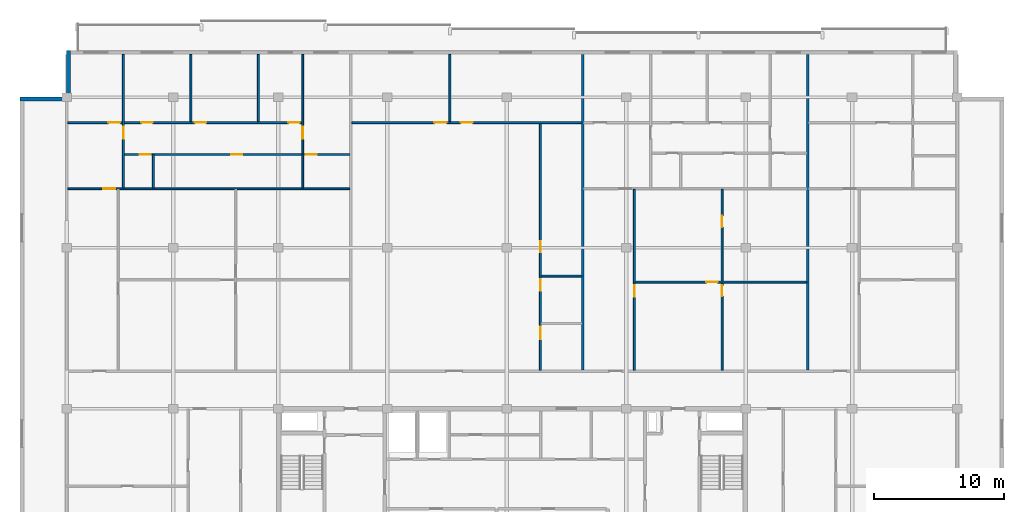
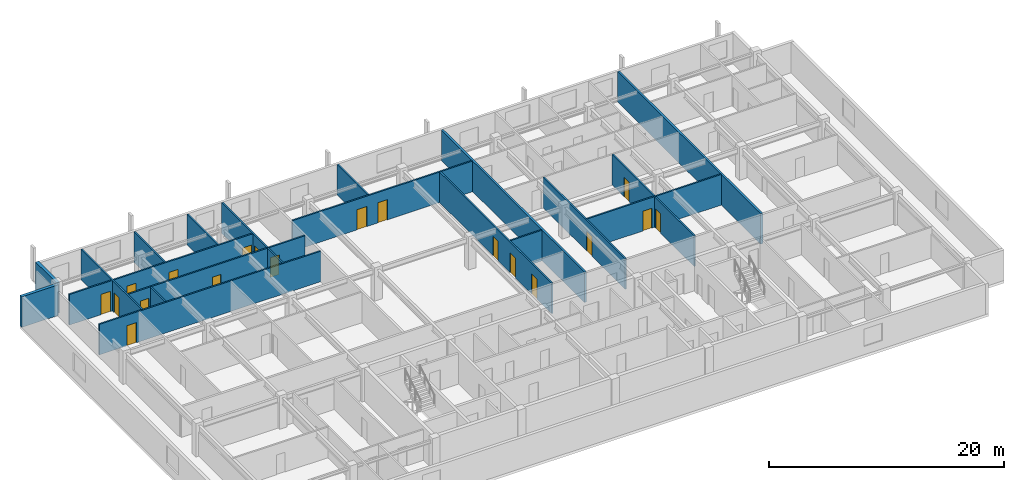
# One storey, part 6 of 10: 20 walls, 19 doors, 19 openings.
"""IFC4 building model written with IfcOpenShell, lengths in metres."""

from ifc_helpers import new_model, si_unit, direction, frame, frame_2d, origin, place, context, subcontext, project, spatial, rectangle, extrude, material, layer, layer_set, type_object, element, fill, save


model = new_model("IFC4")

# Units and contexts
model_context = context("Model", 3, precision=1e-05, world=origin(), true_north=direction((0.0, 1.0)))
body_context = subcontext(model_context, "Body", "Model", "MODEL_VIEW")
ifc_project = project(units=[si_unit("LENGTHUNIT", "METRE"), si_unit("AREAUNIT", "SQUARE_METRE"), si_unit("VOLUMEUNIT", "CUBIC_METRE"), si_unit("PLANEANGLEUNIT", "RADIAN"), si_unit("MASSUNIT", "GRAM", prefix="KILO")], contexts=[model_context])

# Site, building, storey
site_placement = place(None, origin())
site = spatial("IfcSite", under=ifc_project, at=site_placement, CompositionType="ELEMENT")
building_placement = place(site_placement, origin())
building = spatial("IfcBuilding", under=site, at=building_placement, Name="Korimba Cascade Residences", CompositionType="ELEMENT")
storey_placement = place(building_placement, frame((0.0, 0.0, 235.550048828125)))
storey = spatial("IfcBuildingStorey", under=building, at=storey_placement, Name="L68", CompositionType="ELEMENT", Elevation=235.550048828125)

# Walls
ifc_material_1 = material(Name="Precast concrete C40/50", Category="concrete")
ifc_layer_1 = layer(ifc_material_1, 0.300048828125)
ifc_layer_set_1 = layer_set([ifc_layer_1], Name="Precast concrete C40/50")
wall_type_1 = type_object("IfcWallType", Name="EW-STONE-300", PredefinedType="STANDARD", material=ifc_layer_set_1)
for number, where, z_axis, x_axis, name in (
    (1, (59.949951171875, 94.800048828125, 0.0), (0.0, 0.0, 1.0), (0.0, -1.0, 0.0), "L68 T1 Perimeter Stone Wall E07"),
    (2, (59.800048828125, 91.050048828125, 0.0), (0.0, 0.0, 1.0), (-1.0, 0.0, 0.0), "L68 T1 Perimeter Stone Wall E08"),
):
    element("IfcWall", number, at=place(storey_placement, frame(where, z_axis=z_axis, x_axis=x_axis)), inside=storey, type_object=wall_type_1, Name=name, PredefinedType="STANDARD", context=body_context, shape_type="SweptSolid", body=[
        extrude(rectangle(XDim=3.60009765625, YDim=0.300048828125, at=frame_2d((1.800048828125, 0.0))), origin(), (0.0, 0.0, 1.0), 3.169921875),
    ])
ifc_layer_2 = layer(ifc_material_1, 0.199951171875)
ifc_layer_set_2 = layer_set([ifc_layer_2], Name="Precast concrete C40/50")
wall_type_2 = type_object("IfcWallType", Name="WAL-IT-200", PredefinedType="PARTITIONING", material=ifc_layer_set_2)
for number, where, z_axis, x_axis, name in (
    (3, (99.5556640625, 70.179931640625, 0.0), (0.0, 0.0, 1.0), (0.0, 1.0, 0.0), "L68 Partition Wall WAL-L68-T1-DEM-2"),
    (4, (116.86962890625, 70.179931640625, 0.0), (0.0, 0.0, 1.0), (0.0, 1.0, 0.0), "L68 Partition Wall WAL-L68-T1-DEM-3"),
):
    element("IfcWall", number, at=place(storey_placement, frame(where, z_axis=z_axis, x_axis=x_axis)), inside=storey, type_object=wall_type_2, Name=name, PredefinedType="PARTITIONING", context=body_context, shape_type="SweptSolid", body=[
        extrude(rectangle(XDim=24.320068359375, YDim=0.199951171875, at=frame_2d((12.16015625, 0.0))), origin(), (0.0, 0.0, 1.0), 3.169921875),
    ])
ifc_material_2 = material(Name="Insulated Acoustic Stud Partition", Category="gypsum")
ifc_layer_3 = layer(ifc_material_2, 0.14990234375)
ifc_layer_set_3 = layer_set([ifc_layer_3], Name="Insulated Acoustic Stud Partition")
wall_type_3 = type_object("IfcWallType", Name="WAL-PART-150", PredefinedType="PARTITIONING", material=ifc_layer_set_3)
wall_1_placement = place(storey_placement, frame((66.47998046875, 84.18994140625, 0.0), z_axis=(0.0, 0.0, 1.0), x_axis=(0.0, 1.0, 0.0)))
element("IfcWall", 5, at=wall_1_placement, inside=storey, type_object=wall_type_3, Name="L68 Partition Wall WAL-L68-T1-U01-VDRS", PredefinedType="PARTITIONING", context=body_context, shape_type="SweptSolid", body=[
    extrude(rectangle(XDim=2.580078125, YDim=0.14990234375, at=frame_2d((1.2900390625, 0.0))), origin(), (0.0, 0.0, 1.0), 3.169921875),
])
for number, where, z_axis, x_axis, name in (
    (6, (69.3701171875, 89.330078125, 0.0), (0.0, 0.0, 1.0), (0.0, 1.0, 0.0), "L68 Partition Wall WAL-L68-T1-U01-VB2"),
    (7, (74.570068359375, 89.330078125, 0.0), (0.0, 0.0, 1.0), (0.0, 1.0, 0.0), "L68 Partition Wall WAL-L68-T1-U01-VB3"),
):
    element("IfcWall", number, at=place(storey_placement, frame(where, z_axis=z_axis, x_axis=x_axis)), inside=storey, type_object=wall_type_3, Name=name, PredefinedType="PARTITIONING", context=body_context, shape_type="SweptSolid", body=[
        extrude(rectangle(XDim=5.169921875, YDim=0.14990234375, at=frame_2d((2.5849609375, 0.0))), origin(), (0.0, 0.0, 1.0), 3.169921875),
    ])

# Wall, opening, door
wall_2_placement = place(storey_placement, frame((64.169921875, 84.18994140625, 0.0), z_axis=(0.0, 0.0, 1.0), x_axis=(0.0, 1.0, 0.0)))
wall_2 = element("IfcWall", 8, at=wall_2_placement, inside=storey, type_object=wall_type_3, Name="L68 Partition Wall WAL-L68-T1-U01-V1", PredefinedType="PARTITIONING", context=body_context, shape_type="SweptSolid", body=[
    extrude(rectangle(XDim=10.31005859375, YDim=0.14990234375, at=frame_2d((5.155029296875, 0.0))), origin(), (0.0, 0.0, 1.0), 3.169921875),
])
opening_1_placement = place(wall_2_placement, frame((3.820068359375, 0.0, 0.0)))
opening_1 = element("IfcOpeningElement", 9, at=opening_1_placement, cuts=wall_2, Name="Opening D-IN1", PredefinedType="OPENING", context=body_context, shape_type="SweptSolid", body=[
    extrude(rectangle(XDim=0.919921875, YDim=2.080078125, at=frame_2d((0.4599609375, 1.0400390625))), frame((0.0, 0.0849609375, 0.0), z_axis=(0.0, -1.0, 0.0), x_axis=(1.0, 0.0, 0.0)), (0.0, 0.0, 1.0), 0.169921875),
])
ifc_material_3 = material(Name="Acoustic Timber Living Door", Category="wood")
door_type_1 = type_object("IfcDoorType", Name="DR-INT-920", OperationType="NOTDEFINED", PredefinedType="DOOR", material=ifc_material_3)
door_1_placement = place(opening_1_placement, origin())
door_1 = element("IfcDoor", 10, at=door_1_placement, inside=storey, type_object=door_type_1, Name="L68-T1-U01 Hallway Door", OperationType="SINGLE_SWING_LEFT", OverallHeight=2.080078125, OverallWidth=0.919921875, PredefinedType="DOOR", context=body_context, shape_type="SweptSolid", body=[
    extrude(rectangle(XDim=0.919921875, YDim=2.080078125, at=frame_2d((0.4599609375, 1.0400390625))), frame((0.0, 0.02490234375, 0.0), z_axis=(0.0, -1.0, 0.0), x_axis=(1.0, 0.0, 0.0)), (0.0, 0.0, 1.0), 0.050048828125),
])
fill(opening_1, door_1)

# Wall
wall_3_placement = place(storey_placement, frame((77.97998046875, 84.18994140625, 0.0), z_axis=(0.0, 0.0, 1.0), x_axis=(0.0, 1.0, 0.0)))
element("IfcWall", 11, at=wall_3_placement, inside=storey, type_object=wall_type_3, Name="L68 Partition Wall WAL-L68-T1-U01-VBATH", PredefinedType="PARTITIONING", context=body_context, shape_type="SweptSolid", body=[
    extrude(rectangle(XDim=2.580078125, YDim=0.14990234375, at=frame_2d((1.2900390625, 0.0))), origin(), (0.0, 0.0, 1.0), 3.169921875),
])

# Wall, opening, door
wall_4_placement = place(storey_placement, frame((77.97998046875, 86.81005859375, 0.0), z_axis=(0.0, 0.0, 1.0), x_axis=(0.0, 1.0, 0.0)))
wall_4 = element("IfcWall", 12, at=wall_4_placement, inside=storey, type_object=wall_type_3, Name="L68 Partition Wall WAL-L68-T1-U01-V2FULL", PredefinedType="PARTITIONING", context=body_context, shape_type="SweptSolid", body=[
    extrude(rectangle(XDim=7.68994140625, YDim=0.14990234375, at=frame_2d((3.844970703125, 0.0))), origin(), (0.0, 0.0, 1.0), 3.169921875),
])
opening_2_placement = place(wall_4_placement, frame((1.199951171875, 0.0, 0.0)))
opening_2 = element("IfcOpeningElement", 13, at=opening_2_placement, cuts=wall_4, Name="Opening D-IN1", PredefinedType="OPENING", context=body_context, shape_type="SweptSolid", body=[
    extrude(rectangle(XDim=0.919921875, YDim=2.080078125, at=frame_2d((0.4599609375, 1.0400390625))), frame((0.0, 0.0849609375, 0.0), z_axis=(0.0, -1.0, 0.0), x_axis=(1.0, 0.0, 0.0)), (0.0, 0.0, 1.0), 0.169921875),
])
door_2_placement = place(opening_2_placement, origin())
door_2 = element("IfcDoor", 14, at=door_2_placement, inside=storey, type_object=door_type_1, Name="L68-T1-U01 Master Bedroom Door", OperationType="SINGLE_SWING_RIGHT", OverallHeight=2.080078125, OverallWidth=0.919921875, PredefinedType="DOOR", context=body_context, shape_type="SweptSolid", body=[
    extrude(rectangle(XDim=0.919921875, YDim=2.080078125, at=frame_2d((0.4599609375, 1.0400390625))), frame((0.0, 0.02490234375, 0.0), z_axis=(0.0, -1.0, 0.0), x_axis=(1.0, 0.0, 0.0)), (0.0, 0.0, 1.0), 0.050048828125),
])
fill(opening_2, door_2)

# Wall, openings, doors
wall_5_placement = place(storey_placement, frame((64.2099609375, 86.7900390625, 0.0), z_axis=(0.0, 0.0, 1.0), x_axis=(1.0, 0.0, 0.0)))
wall_5 = element("IfcWall", 15, at=wall_5_placement, inside=storey, type_object=wall_type_3, Name="L68 Partition Wall WAL-L68-T1-U01-HWALL", PredefinedType="PARTITIONING", context=body_context, shape_type="SweptSolid", body=[
    extrude(rectangle(XDim=17.3974609375, YDim=0.14990234375, at=frame_2d((8.69873046875, 0.0))), origin(), (0.0, 0.0, 1.0), 3.169921875),
])
opening_3_placement = place(wall_5_placement, frame((1.2099609375, 0.0, 0.0)))
opening_3 = element("IfcOpeningElement", 16, at=opening_3_placement, cuts=wall_5, Name="Opening D-BT1", PredefinedType="OPENING", context=body_context, shape_type="SweptSolid", body=[
    extrude(rectangle(XDim=0.840087890625, YDim=2.0400390625, at=frame_2d((0.419921875, 1.02001953125))), frame((0.0, 0.0849609375, 0.0), z_axis=(0.0, -1.0, 0.0), x_axis=(1.0, 0.0, 0.0)), (0.0, 0.0, 1.0), 0.169921875),
])
opening_4_placement = place(wall_5_placement, frame((8.27880859375, 0.0, 0.0)))
opening_4 = element("IfcOpeningElement", 17, at=opening_4_placement, cuts=wall_5, Name="Opening D-BT1", PredefinedType="OPENING", context=body_context, shape_type="SweptSolid", body=[
    extrude(rectangle(XDim=0.840087890625, YDim=2.0400390625, at=frame_2d((0.419921875, 1.02001953125))), frame((0.0, 0.0849609375, 0.0), z_axis=(0.0, -1.0, 0.0), x_axis=(1.0, 0.0, 0.0)), (0.0, 0.0, 1.0), 0.169921875),
])
opening_5_placement = place(wall_5_placement, frame((14.02001953125, 0.0, 0.0)))
opening_5 = element("IfcOpeningElement", 18, at=opening_5_placement, cuts=wall_5, Name="Opening D-BT1", PredefinedType="OPENING", context=body_context, shape_type="SweptSolid", body=[
    extrude(rectangle(XDim=0.840087890625, YDim=2.0400390625, at=frame_2d((0.419921875, 1.02001953125))), frame((0.0, 0.0849609375, 0.0), z_axis=(0.0, -1.0, 0.0), x_axis=(1.0, 0.0, 0.0)), (0.0, 0.0, 1.0), 0.169921875),
])
ifc_material_4 = material(Name="Moisture-Resistant Bathroom Timber Door", Category="wood")
door_type_2 = type_object("IfcDoorType", Name="DR-INT-850", OperationType="NOTDEFINED", PredefinedType="DOOR", material=ifc_material_4)
door_3_placement = place(opening_3_placement, origin())
door_3 = element("IfcDoor", 19, at=door_3_placement, inside=storey, type_object=door_type_2, Name="L68-T1-U01 Family Bathroom Door", OperationType="SINGLE_SWING_LEFT", OverallHeight=2.0400390625, OverallWidth=0.840087890625, PredefinedType="DOOR", context=body_context, shape_type="SweptSolid", body=[
    extrude(rectangle(XDim=0.840087890625, YDim=2.0400390625, at=frame_2d((0.419921875, 1.02001953125))), frame((0.0, 0.02490234375, 0.0), z_axis=(0.0, -1.0, 0.0), x_axis=(1.0, 0.0, 0.0)), (0.0, 0.0, 1.0), 0.050048828125),
])
fill(opening_3, door_3)
door_4_placement = place(opening_4_placement, origin())
door_4 = element("IfcDoor", 20, at=door_4_placement, inside=storey, type_object=door_type_2, Name="L68-T1-U01 Dressing Room Door", OperationType="SINGLE_SWING_RIGHT", OverallHeight=2.0400390625, OverallWidth=0.840087890625, PredefinedType="DOOR", context=body_context, shape_type="SweptSolid", body=[
    extrude(rectangle(XDim=0.840087890625, YDim=2.0400390625, at=frame_2d((0.419921875, 1.02001953125))), frame((0.0, 0.02490234375, 0.0), z_axis=(0.0, -1.0, 0.0), x_axis=(1.0, 0.0, 0.0)), (0.0, 0.0, 1.0), 0.050048828125),
])
fill(opening_4, door_4)
door_5_placement = place(opening_5_placement, origin())
door_5 = element("IfcDoor", 21, at=door_5_placement, inside=storey, type_object=door_type_2, Name="L68-T1-U01 En-Suite Door", OperationType="SINGLE_SWING_LEFT", OverallHeight=2.0400390625, OverallWidth=0.840087890625, PredefinedType="DOOR", context=body_context, shape_type="SweptSolid", body=[
    extrude(rectangle(XDim=0.840087890625, YDim=2.0400390625, at=frame_2d((0.419921875, 1.02001953125))), frame((0.0, 0.02490234375, 0.0), z_axis=(0.0, -1.0, 0.0), x_axis=(1.0, 0.0, 0.0)), (0.0, 0.0, 1.0), 0.050048828125),
])
fill(opening_5, door_5)

# Wall, opening, door
wall_6_placement = place(storey_placement, frame((59.8798828125, 84.14990234375, 0.0), z_axis=(0.0, 0.0, 1.0), x_axis=(1.0, 0.0, 0.0)))
wall_6 = element("IfcWall", 22, at=wall_6_placement, inside=storey, type_object=wall_type_3, Name="L68 Partition Wall WAL-L68-T1-U01-MW", PredefinedType="PARTITIONING", context=body_context, shape_type="SweptSolid", body=[
    extrude(rectangle(XDim=21.7275390625, YDim=0.14990234375, at=frame_2d((10.86376953125, 0.0))), origin(), (0.0, 0.0, 1.0), 3.169921875),
])
opening_6_placement = place(wall_6_placement, frame((2.719970703125, 0.0, 0.0)))
opening_6 = element("IfcOpeningElement", 23, at=opening_6_placement, cuts=wall_6, Name="Opening D-IN1", PredefinedType="OPENING", context=body_context, shape_type="SweptSolid", body=[
    extrude(rectangle(XDim=0.919921875, YDim=2.080078125, at=frame_2d((0.4599609375, 1.0400390625))), frame((0.0, 0.0849609375, 0.0), z_axis=(0.0, -1.0, 0.0), x_axis=(1.0, 0.0, 0.0)), (0.0, 0.0, 1.0), 0.169921875),
])
door_6_placement = place(opening_6_placement, origin())
door_6 = element("IfcDoor", 24, at=door_6_placement, inside=storey, type_object=door_type_1, Name="L68-T1-U01 Kitchen Door", OperationType="SINGLE_SWING_RIGHT", OverallHeight=2.080078125, OverallWidth=0.919921875, PredefinedType="DOOR", context=body_context, shape_type="SweptSolid", body=[
    extrude(rectangle(XDim=0.919921875, YDim=2.080078125, at=frame_2d((0.4599609375, 1.0400390625))), frame((0.0, 0.02490234375, 0.0), z_axis=(0.0, -1.0, 0.0), x_axis=(1.0, 0.0, 0.0)), (0.0, 0.0, 1.0), 0.050048828125),
])
fill(opening_6, door_6)

# Wall, openings, doors
wall_7_placement = place(storey_placement, frame((59.8798828125, 89.25, 0.0), z_axis=(0.0, 0.0, 1.0), x_axis=(1.0, 0.0, 0.0)))
wall_7 = element("IfcWall", 25, at=wall_7_placement, inside=storey, type_object=wall_type_3, Name="L68 Partition Wall WAL-L68-T1-U01-HZ", PredefinedType="PARTITIONING", context=body_context, shape_type="SweptSolid", body=[
    extrude(rectangle(XDim=18.10009765625, YDim=0.14990234375, at=frame_2d((9.050048828125, 0.0))), origin(), (0.0, 0.0, 1.0), 3.169921875),
])
opening_7_placement = place(wall_7_placement, frame((3.10009765625, 0.0, 0.0)))
opening_7 = element("IfcOpeningElement", 26, at=opening_7_placement, cuts=wall_7, Name="Opening D-IN0", PredefinedType="OPENING", context=body_context, shape_type="SweptSolid", body=[
    extrude(rectangle(XDim=0.93994140625, YDim=2.10009765625, at=frame_2d((0.469970703125, 1.050048828125))), frame((0.0, 0.0849609375, 0.0), z_axis=(0.0, -1.0, 0.0), x_axis=(1.0, 0.0, 0.0)), (0.0, 0.0, 1.0), 0.169921875),
])
opening_8_placement = place(wall_7_placement, frame((5.674072265625, 0.0, 0.0)))
opening_8 = element("IfcOpeningElement", 27, at=opening_8_placement, cuts=wall_7, Name="Opening D-IN2", PredefinedType="OPENING", context=body_context, shape_type="SweptSolid", body=[
    extrude(rectangle(XDim=0.8798828125, YDim=2.06005859375, at=frame_2d((0.43994140625, 1.030029296875))), frame((0.0, 0.0849609375, 0.0), z_axis=(0.0, -1.0, 0.0), x_axis=(1.0, 0.0, 0.0)), (0.0, 0.0, 1.0), 0.169921875),
])
opening_9_placement = place(wall_7_placement, frame((9.78759765625, 0.0, 0.0)))
opening_9 = element("IfcOpeningElement", 28, at=opening_9_placement, cuts=wall_7, Name="Opening D-IN2", PredefinedType="OPENING", context=body_context, shape_type="SweptSolid", body=[
    extrude(rectangle(XDim=0.8798828125, YDim=2.06005859375, at=frame_2d((0.43994140625, 1.030029296875))), frame((0.0, 0.0849609375, 0.0), z_axis=(0.0, -1.0, 0.0), x_axis=(1.0, 0.0, 0.0)), (0.0, 0.0, 1.0), 0.169921875),
])
opening_10_placement = place(wall_7_placement, frame((17.0, 0.0, 0.0)))
opening_10 = element("IfcOpeningElement", 29, at=opening_10_placement, cuts=wall_7, Name="Opening D-IN2", PredefinedType="OPENING", context=body_context, shape_type="SweptSolid", body=[
    extrude(rectangle(XDim=0.8798828125, YDim=2.06005859375, at=frame_2d((0.43994140625, 1.030029296875))), frame((0.0, 0.0849609375, 0.0), z_axis=(0.0, -1.0, 0.0), x_axis=(1.0, 0.0, 0.0)), (0.0, 0.0, 1.0), 0.169921875),
])
ifc_material_5 = material(Name="Acoustic Timber Bedroom Door", Category="wood")
door_type_3 = type_object("IfcDoorType", Name="DR-INT-880", OperationType="NOTDEFINED", PredefinedType="DOOR", material=ifc_material_5)
door_7_placement = place(opening_8_placement, origin())
door_7 = element("IfcDoor", 30, at=door_7_placement, inside=storey, type_object=door_type_3, Name="L68-T1-U01 Bedroom 2 Door", OperationType="SINGLE_SWING_RIGHT", OverallHeight=2.06005859375, OverallWidth=0.8798828125, PredefinedType="DOOR", context=body_context, shape_type="SweptSolid", body=[
    extrude(rectangle(XDim=0.8798828125, YDim=2.06005859375, at=frame_2d((0.43994140625, 1.030029296875))), frame((0.0, 0.02490234375, 0.0), z_axis=(0.0, -1.0, 0.0), x_axis=(1.0, 0.0, 0.0)), (0.0, 0.0, 1.0), 0.050048828125),
])
fill(opening_8, door_7)
door_8_placement = place(opening_9_placement, origin())
door_8 = element("IfcDoor", 31, at=door_8_placement, inside=storey, type_object=door_type_3, Name="L68-T1-U01 Bedroom 3 Door", OperationType="SINGLE_SWING_LEFT", OverallHeight=2.06005859375, OverallWidth=0.8798828125, PredefinedType="DOOR", context=body_context, shape_type="SweptSolid", body=[
    extrude(rectangle(XDim=0.8798828125, YDim=2.06005859375, at=frame_2d((0.43994140625, 1.030029296875))), frame((0.0, 0.02490234375, 0.0), z_axis=(0.0, -1.0, 0.0), x_axis=(1.0, 0.0, 0.0)), (0.0, 0.0, 1.0), 0.050048828125),
])
fill(opening_9, door_8)
door_9_placement = place(opening_10_placement, origin())
door_9 = element("IfcDoor", 32, at=door_9_placement, inside=storey, type_object=door_type_3, Name="L68-T1-U01 Study Door", OperationType="SINGLE_SWING_RIGHT", OverallHeight=2.06005859375, OverallWidth=0.8798828125, PredefinedType="DOOR", context=body_context, shape_type="SweptSolid", body=[
    extrude(rectangle(XDim=0.8798828125, YDim=2.06005859375, at=frame_2d((0.43994140625, 1.030029296875))), frame((0.0, 0.02490234375, 0.0), z_axis=(0.0, -1.0, 0.0), x_axis=(1.0, 0.0, 0.0)), (0.0, 0.0, 1.0), 0.050048828125),
])
fill(opening_10, door_9)
ifc_material_6 = material(Name="Acoustic Timber Living Archway Door", Category="wood")
door_type_4 = type_object("IfcDoorType", Name="DR-INT-950", OperationType="NOTDEFINED", PredefinedType="DOOR", material=ifc_material_6)
door_10_placement = place(opening_7_placement, origin())
door_10 = element("IfcDoor", 33, at=door_10_placement, inside=storey, type_object=door_type_4, Name="L68-T1-U01 Living Room Door", OperationType="SINGLE_SWING_LEFT", OverallHeight=2.10009765625, OverallWidth=0.93994140625, PredefinedType="DOOR", context=body_context, shape_type="SweptSolid", body=[
    extrude(rectangle(XDim=0.93994140625, YDim=2.10009765625, at=frame_2d((0.469970703125, 1.050048828125))), frame((0.0, 0.02490234375, 0.0), z_axis=(0.0, -1.0, 0.0), x_axis=(1.0, 0.0, 0.0)), (0.0, 0.0, 1.0), 0.050048828125),
])
fill(opening_7, door_10)

# Wall
wall_8_placement = place(storey_placement, frame((96.345703125, 77.419921875, 0.0), z_axis=(0.0, 0.0, 1.0), x_axis=(1.0, 0.0, 0.0)))
element("IfcWall", 34, at=wall_8_placement, inside=storey, type_object=wall_type_3, Name="L68 Partition Wall WAL-L68-T1-U02-WCH2", PredefinedType="PARTITIONING", context=body_context, shape_type="SweptSolid", body=[
    extrude(rectangle(XDim=3.1298828125, YDim=0.14990234375, at=frame_2d((1.56494140625, 0.0))), origin(), (0.0, 0.0, 1.0), 3.169921875),
])

# Wall, openings, doors
wall_9_placement = place(storey_placement, frame((96.28564453125, 70.159912109375, 0.0), z_axis=(0.0, 0.0, 1.0), x_axis=(0.0, 1.0, 0.0)))
wall_9 = element("IfcWall", 35, at=wall_9_placement, inside=storey, type_object=wall_type_3, Name="L68 Partition Wall WAL-L68-T1-U02-WCV", PredefinedType="PARTITIONING", context=body_context, shape_type="SweptSolid", body=[
    extrude(rectangle(XDim=19.030029296875, YDim=0.14990234375, at=frame_2d((9.51513671875, 0.0))), origin(), (0.0, 0.0, 1.0), 3.169921875),
])
opening_11_placement = place(wall_9_placement, frame((2.406005859375, 0.0, 0.0)))
opening_11 = element("IfcOpeningElement", 36, at=opening_11_placement, cuts=wall_9, Name="Opening D-AC1", PredefinedType="OPENING", context=body_context, shape_type="SweptSolid", body=[
    extrude(rectangle(XDim=0.9599609375, YDim=2.10009765625, at=frame_2d((0.47998046875, 1.050048828125))), frame((0.0, 0.0849609375, 0.0), z_axis=(0.0, -1.0, 0.0), x_axis=(1.0, 0.0, 0.0)), (0.0, 0.0, 1.0), 0.169921875),
])
opening_12_placement = place(wall_9_placement, frame((6.132568359375, 0.0, 0.0)))
opening_12 = element("IfcOpeningElement", 37, at=opening_12_placement, cuts=wall_9, Name="Opening D-IN2", PredefinedType="OPENING", context=body_context, shape_type="SweptSolid", body=[
    extrude(rectangle(XDim=0.8798828125, YDim=2.06005859375, at=frame_2d((0.43994140625, 1.030029296875))), frame((0.0, 0.0849609375, 0.0), z_axis=(0.0, -1.0, 0.0), x_axis=(1.0, 0.0, 0.0)), (0.0, 0.0, 1.0), 0.169921875),
])
opening_13_placement = place(wall_9_placement, frame((9.094970703125, 0.0, 0.0)))
opening_13 = element("IfcOpeningElement", 38, at=opening_13_placement, cuts=wall_9, Name="Opening D-BT1", PredefinedType="OPENING", context=body_context, shape_type="SweptSolid", body=[
    extrude(rectangle(XDim=0.840087890625, YDim=2.0400390625, at=frame_2d((0.419921875, 1.02001953125))), frame((0.0, 0.0849609375, 0.0), z_axis=(0.0, -1.0, 0.0), x_axis=(1.0, 0.0, 0.0)), (0.0, 0.0, 1.0), 0.169921875),
])
ifc_material_7 = material(Name="Accessible Acoustic Timber WC Door", Category="wood")
door_type_5 = type_object("IfcDoorType", Name="DR-ACC-950", OperationType="NOTDEFINED", PredefinedType="DOOR", material=ifc_material_7)
door_11_placement = place(opening_11_placement, origin())
door_11 = element("IfcDoor", 39, at=door_11_placement, inside=storey, type_object=door_type_5, Name="L68-T1-U02 Accessible WC Door", OperationType="SINGLE_SWING_LEFT", OverallHeight=2.10009765625, OverallWidth=0.9599609375, PredefinedType="DOOR", context=body_context, shape_type="SweptSolid", body=[
    extrude(rectangle(XDim=0.9599609375, YDim=2.10009765625, at=frame_2d((0.47998046875, 1.050048828125))), frame((0.0, 0.02490234375, 0.0), z_axis=(0.0, -1.0, 0.0), x_axis=(1.0, 0.0, 0.0)), (0.0, 0.0, 1.0), 0.050048828125),
])
fill(opening_11, door_11)
door_12_placement = place(opening_13_placement, origin())
door_12 = element("IfcDoor", 40, at=door_12_placement, inside=storey, type_object=door_type_2, Name="L68-T1-U02 Suite Store Door", OperationType="SINGLE_SWING_LEFT", OverallHeight=2.0400390625, OverallWidth=0.840087890625, PredefinedType="DOOR", context=body_context, shape_type="SweptSolid", body=[
    extrude(rectangle(XDim=0.840087890625, YDim=2.0400390625, at=frame_2d((0.419921875, 1.02001953125))), frame((0.0, 0.02490234375, 0.0), z_axis=(0.0, -1.0, 0.0), x_axis=(1.0, 0.0, 0.0)), (0.0, 0.0, 1.0), 0.050048828125),
])
fill(opening_13, door_12)
door_13_placement = place(opening_12_placement, origin())
door_13 = element("IfcDoor", 41, at=door_13_placement, inside=storey, type_object=door_type_3, Name="L68-T1-U02 Restroom WC Door", OperationType="SINGLE_SWING_RIGHT", OverallHeight=2.06005859375, OverallWidth=0.8798828125, PredefinedType="DOOR", context=body_context, shape_type="SweptSolid", body=[
    extrude(rectangle(XDim=0.8798828125, YDim=2.06005859375, at=frame_2d((0.43994140625, 1.030029296875))), frame((0.0, 0.02490234375, 0.0), z_axis=(0.0, -1.0, 0.0), x_axis=(1.0, 0.0, 0.0)), (0.0, 0.0, 1.0), 0.050048828125),
])
fill(opening_12, door_13)

# Wall
wall_10_placement = place(storey_placement, frame((89.31640625, 89.330078125, 0.0), z_axis=(0.0, 0.0, 1.0), x_axis=(0.0, 1.0, 0.0)))
element("IfcWall", 42, at=wall_10_placement, inside=storey, type_object=wall_type_3, Name="L68 Partition Wall WAL-L68-T1-U02-OUTV", PredefinedType="PARTITIONING", context=body_context, shape_type="SweptSolid", body=[
    extrude(rectangle(XDim=5.169921875, YDim=0.14990234375, at=frame_2d((2.5849609375, 0.0))), origin(), (0.0, 0.0, 1.0), 3.169921875),
])

# Wall, openings, doors
wall_11_placement = place(storey_placement, frame((81.767333984375, 89.25, 0.0), z_axis=(0.0, 0.0, 1.0), x_axis=(1.0, 0.0, 0.0)))
wall_11 = element("IfcWall", 43, at=wall_11_placement, inside=storey, type_object=wall_type_3, Name="L68 Partition Wall WAL-L68-T1-U02-HZ", PredefinedType="PARTITIONING", context=body_context, shape_type="SweptSolid", body=[
    extrude(rectangle(XDim=17.708251953125, YDim=0.14990234375, at=frame_2d((8.85400390625, 0.0))), origin(), (0.0, 0.0, 1.0), 3.169921875),
])
opening_14_placement = place(wall_11_placement, frame((6.359130859375, 0.0, 0.0)))
opening_14 = element("IfcOpeningElement", 44, at=opening_14_placement, cuts=wall_11, Name="Opening D-IN0", PredefinedType="OPENING", context=body_context, shape_type="SweptSolid", body=[
    extrude(rectangle(XDim=0.93994140625, YDim=2.10009765625, at=frame_2d((0.469970703125, 1.050048828125))), frame((0.0, 0.0849609375, 0.0), z_axis=(0.0, -1.0, 0.0), x_axis=(1.0, 0.0, 0.0)), (0.0, 0.0, 1.0), 0.169921875),
])
opening_15_placement = place(wall_11_placement, frame((8.384033203125, 0.0, 0.0)))
opening_15 = element("IfcOpeningElement", 45, at=opening_15_placement, cuts=wall_11, Name="Opening D-IN0", PredefinedType="OPENING", context=body_context, shape_type="SweptSolid", body=[
    extrude(rectangle(XDim=0.93994140625, YDim=2.10009765625, at=frame_2d((0.469970703125, 1.050048828125))), frame((0.0, 0.0849609375, 0.0), z_axis=(0.0, -1.0, 0.0), x_axis=(1.0, 0.0, 0.0)), (0.0, 0.0, 1.0), 0.169921875),
])
door_14_placement = place(opening_14_placement, origin())
door_14 = element("IfcDoor", 46, at=door_14_placement, inside=storey, type_object=door_type_4, Name="L68-T1-U02 Resident Boardroom Door", OperationType="SINGLE_SWING_RIGHT", OverallHeight=2.10009765625, OverallWidth=0.93994140625, PredefinedType="DOOR", context=body_context, shape_type="SweptSolid", body=[
    extrude(rectangle(XDim=0.93994140625, YDim=2.10009765625, at=frame_2d((0.469970703125, 1.050048828125))), frame((0.0, 0.02490234375, 0.0), z_axis=(0.0, -1.0, 0.0), x_axis=(1.0, 0.0, 0.0)), (0.0, 0.0, 1.0), 0.050048828125),
])
fill(opening_14, door_14)
door_15_placement = place(opening_15_placement, origin())
door_15 = element("IfcDoor", 47, at=door_15_placement, inside=storey, type_object=door_type_4, Name="L68-T1-U02 Executive Seminar Room Door", OperationType="SINGLE_SWING_LEFT", OverallHeight=2.10009765625, OverallWidth=0.93994140625, PredefinedType="DOOR", context=body_context, shape_type="SweptSolid", body=[
    extrude(rectangle(XDim=0.93994140625, YDim=2.10009765625, at=frame_2d((0.469970703125, 1.050048828125))), frame((0.0, 0.02490234375, 0.0), z_axis=(0.0, -1.0, 0.0), x_axis=(1.0, 0.0, 0.0)), (0.0, 0.0, 1.0), 0.050048828125),
])
fill(opening_15, door_15)

wall_12_placement = place(storey_placement, frame((110.28759765625, 70.159912109375, 0.0), z_axis=(0.0, 0.0, 1.0), x_axis=(0.0, 1.0, 0.0)))
wall_12 = element("IfcWall", 48, at=wall_12_placement, inside=storey, type_object=wall_type_3, Name="L68 Partition Wall WAL-L68-T1-U03-FMV", PredefinedType="PARTITIONING", context=body_context, shape_type="SweptSolid", body=[
    extrude(rectangle(XDim=13.9501953125, YDim=0.14990234375, at=frame_2d((6.97509765625, 0.0))), origin(), (0.0, 0.0, 1.0), 3.169921875),
])
opening_16_placement = place(wall_12_placement, frame((5.705078125, 0.0, 0.0)))
opening_16 = element("IfcOpeningElement", 49, at=opening_16_placement, cuts=wall_12, Name="Opening D-BT1", PredefinedType="OPENING", context=body_context, shape_type="SweptSolid", body=[
    extrude(rectangle(XDim=0.840087890625, YDim=2.0400390625, at=frame_2d((0.419921875, 1.02001953125))), frame((0.0, 0.0849609375, 0.0), z_axis=(0.0, -1.0, 0.0), x_axis=(1.0, 0.0, 0.0)), (0.0, 0.0, 1.0), 0.169921875),
])
opening_17_placement = place(wall_12_placement, frame((11.017578125, 0.0, 0.0)))
opening_17 = element("IfcOpeningElement", 50, at=opening_17_placement, cuts=wall_12, Name="Opening D-IN2", PredefinedType="OPENING", context=body_context, shape_type="SweptSolid", body=[
    extrude(rectangle(XDim=0.8798828125, YDim=2.06005859375, at=frame_2d((0.43994140625, 1.030029296875))), frame((0.0, 0.0849609375, 0.0), z_axis=(0.0, -1.0, 0.0), x_axis=(1.0, 0.0, 0.0)), (0.0, 0.0, 1.0), 0.169921875),
])
door_16_placement = place(opening_16_placement, origin())
door_16 = element("IfcDoor", 51, at=door_16_placement, inside=storey, type_object=door_type_2, Name="L68-T1-U03 Wardrobe Door", OperationType="SINGLE_SWING_RIGHT", OverallHeight=2.0400390625, OverallWidth=0.840087890625, PredefinedType="DOOR", context=body_context, shape_type="SweptSolid", body=[
    extrude(rectangle(XDim=0.840087890625, YDim=2.0400390625, at=frame_2d((0.419921875, 1.02001953125))), frame((0.0, 0.02490234375, 0.0), z_axis=(0.0, -1.0, 0.0), x_axis=(1.0, 0.0, 0.0)), (0.0, 0.0, 1.0), 0.050048828125),
])
fill(opening_16, door_16)
door_17_placement = place(opening_17_placement, origin())
door_17 = element("IfcDoor", 52, at=door_17_placement, inside=storey, type_object=door_type_3, Name="L68-T1-U03 Music Lounge Door", OperationType="SINGLE_SWING_LEFT", OverallHeight=2.06005859375, OverallWidth=0.8798828125, PredefinedType="DOOR", context=body_context, shape_type="SweptSolid", body=[
    extrude(rectangle(XDim=0.8798828125, YDim=2.06005859375, at=frame_2d((0.43994140625, 1.030029296875))), frame((0.0, 0.02490234375, 0.0), z_axis=(0.0, -1.0, 0.0), x_axis=(1.0, 0.0, 0.0)), (0.0, 0.0, 1.0), 0.050048828125),
])
fill(opening_17, door_17)

# Wall, opening, door
wall_13_placement = place(storey_placement, frame((103.585693359375, 76.955078125, 0.0), z_axis=(0.0, 0.0, 1.0), x_axis=(1.0, 0.0, 0.0)))
wall_13 = element("IfcWall", 53, at=wall_13_placement, inside=storey, type_object=wall_type_3, Name="L68 Partition Wall WAL-L68-T1-U03-FMH", PredefinedType="PARTITIONING", context=body_context, shape_type="SweptSolid", body=[
    extrude(rectangle(XDim=13.203857421875, YDim=0.14990234375, at=frame_2d((6.60205078125, 0.0))), origin(), (0.0, 0.0, 1.0), 3.169921875),
])
opening_18_placement = place(wall_13_placement, frame((5.4970703125, 0.0, 0.0)))
opening_18 = element("IfcOpeningElement", 54, at=opening_18_placement, cuts=wall_13, Name="Opening D-IN2", PredefinedType="OPENING", context=body_context, shape_type="SweptSolid", body=[
    extrude(rectangle(XDim=0.8798828125, YDim=2.06005859375, at=frame_2d((0.43994140625, 1.030029296875))), frame((0.0, 0.0849609375, 0.0), z_axis=(0.0, -1.0, 0.0), x_axis=(1.0, 0.0, 0.0)), (0.0, 0.0, 1.0), 0.169921875),
])
door_18_placement = place(opening_18_placement, origin())
door_18 = element("IfcDoor", 55, at=door_18_placement, inside=storey, type_object=door_type_3, Name="L68-T1-U03 Library Salon Door", OperationType="SINGLE_SWING_RIGHT", OverallHeight=2.06005859375, OverallWidth=0.8798828125, PredefinedType="DOOR", context=body_context, shape_type="SweptSolid", body=[
    extrude(rectangle(XDim=0.8798828125, YDim=2.06005859375, at=frame_2d((0.43994140625, 1.030029296875))), frame((0.0, 0.02490234375, 0.0), z_axis=(0.0, -1.0, 0.0), x_axis=(1.0, 0.0, 0.0)), (0.0, 0.0, 1.0), 0.050048828125),
])
fill(opening_18, door_18)

wall_14_placement = place(storey_placement, frame((103.525634765625, 70.159912109375, 0.0), z_axis=(0.0, 0.0, 1.0), x_axis=(0.0, 1.0, 0.0)))
wall_14 = element("IfcWall", 56, at=wall_14_placement, inside=storey, type_object=wall_type_3, Name="L68 Partition Wall WAL-L68-T1-U03-FV", PredefinedType="PARTITIONING", context=body_context, shape_type="SweptSolid", body=[
    extrude(rectangle(XDim=13.9501953125, YDim=0.14990234375, at=frame_2d((6.97509765625, 0.0))), origin(), (0.0, 0.0, 1.0), 3.169921875),
])
opening_19_placement = place(wall_14_placement, frame((5.6650390625, 0.0, 0.0)))
opening_19 = element("IfcOpeningElement", 57, at=opening_19_placement, cuts=wall_14, Name="Opening D-IN2", PredefinedType="OPENING", context=body_context, shape_type="SweptSolid", body=[
    extrude(rectangle(XDim=0.8798828125, YDim=2.06005859375, at=frame_2d((0.43994140625, 1.030029296875))), frame((0.0, 0.0849609375, 0.0), z_axis=(0.0, -1.0, 0.0), x_axis=(1.0, 0.0, 0.0)), (0.0, 0.0, 1.0), 0.169921875),
])
door_19_placement = place(opening_19_placement, origin())
door_19 = element("IfcDoor", 58, at=door_19_placement, inside=storey, type_object=door_type_3, Name="L68-T1-U03 Media Lounge Door", OperationType="SINGLE_SWING_LEFT", OverallHeight=2.06005859375, OverallWidth=0.8798828125, PredefinedType="DOOR", context=body_context, shape_type="SweptSolid", body=[
    extrude(rectangle(XDim=0.8798828125, YDim=2.06005859375, at=frame_2d((0.43994140625, 1.030029296875))), frame((0.0, 0.02490234375, 0.0), z_axis=(0.0, -1.0, 0.0), x_axis=(1.0, 0.0, 0.0)), (0.0, 0.0, 1.0), 0.050048828125),
])
fill(opening_19, door_19)

save(model, "model.ifc")
